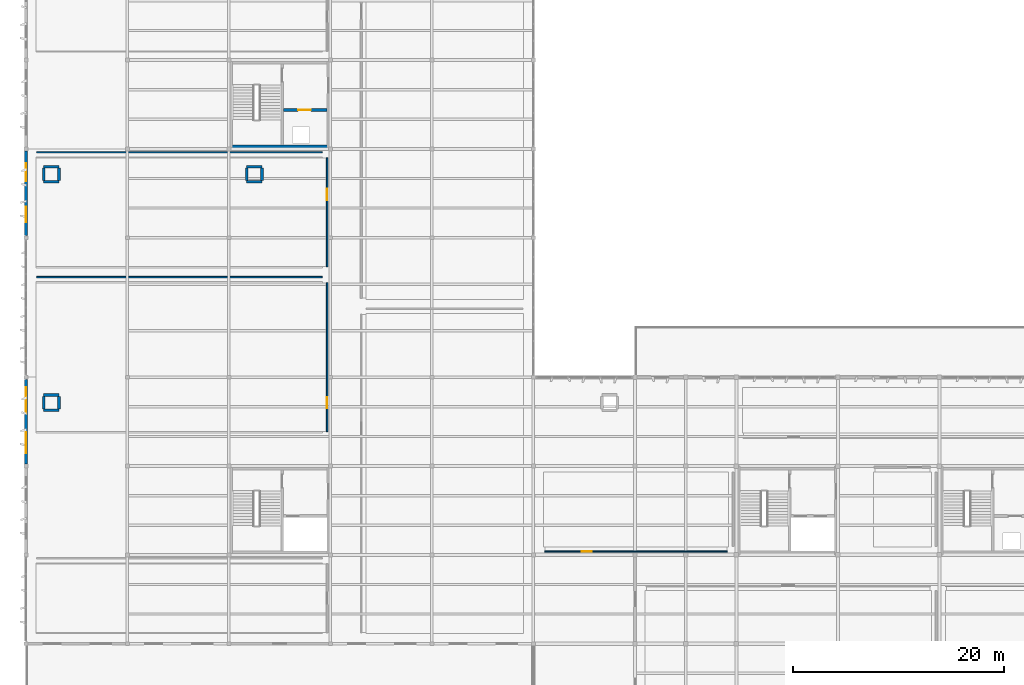
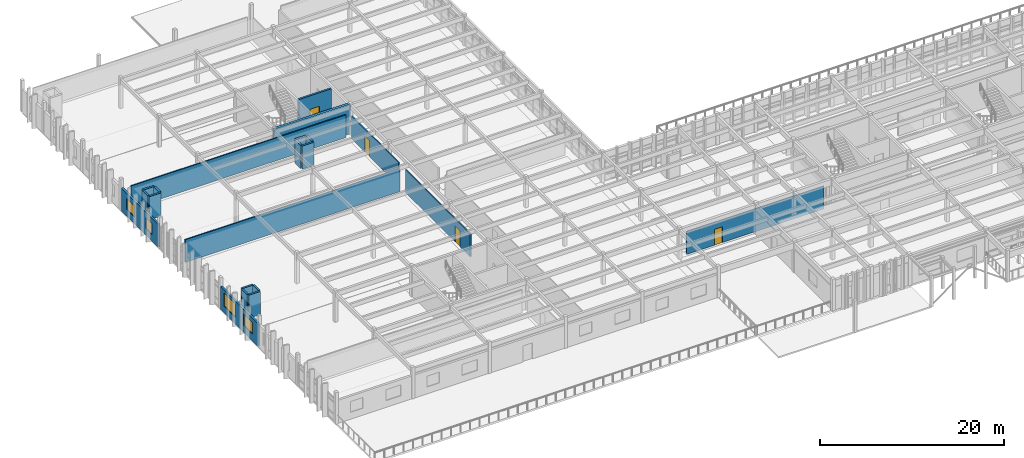
# One storey, part 41 of 61: 21 walls, 4 doors, 4 windows, 8 openings.
"""IFC4 building model written with IfcOpenShell, lengths in metres."""

from ifc_helpers import new_model, si_unit, direction, frame, frame_2d, origin, place, context, subcontext, project, spatial, rectangle, extrude, material, layer, layer_set, type_object, element, fill, save


model = new_model("IFC4")

# Units and contexts
model_context = context("Model", 3, precision=1e-05, world=origin(), true_north=direction((0.0, 1.0)))
body_context = subcontext(model_context, "Body", "Model", "MODEL_VIEW")
ifc_project = project(units=[si_unit("LENGTHUNIT", "METRE"), si_unit("AREAUNIT", "SQUARE_METRE"), si_unit("VOLUMEUNIT", "CUBIC_METRE"), si_unit("PLANEANGLEUNIT", "RADIAN"), si_unit("MASSUNIT", "GRAM", prefix="KILO")], contexts=[model_context])

# Site, building, storey
site_placement = place(None, origin())
site = spatial("IfcSite", under=ifc_project, at=site_placement, CompositionType="ELEMENT")
building_placement = place(site_placement, origin())
building = spatial("IfcBuilding", under=site, at=building_placement, Name="Kolvemor Railside Polytechnic", CompositionType="ELEMENT")
storey_placement = place(building_placement, frame((0.0, 0.0, 10.199951171875)))
storey = spatial("IfcBuildingStorey", under=building, at=storey_placement, Name="L02", CompositionType="ELEMENT", Elevation=10.199951171875)

# Wall
ifc_material_1 = material(Name="Concrete C40/50", Category="concrete")
ifc_layer_1 = layer(ifc_material_1, 0.35009765625, Name="WL-CORE-350")
ifc_layer_set_1 = layer_set([ifc_layer_1], Name="Concrete C40/50")
wall_type_1 = type_object("IfcWallType", Name="WL-CORE-350", PredefinedType="SHEAR", material=ifc_layer_set_1)
wall_1_placement = place(storey_placement, frame((19.199951171875, 60.175048828125, 0.0), z_axis=(0.0, 0.0, 1.0), x_axis=(1.0, 0.0, 0.0)))
element("IfcWall", 1, at=wall_1_placement, inside=storey, type_object=wall_type_1, Name="CORE-5 South Core Wall L02", PredefinedType="SHEAR", context=body_context, shape_type="SweptSolid", body=[
    extrude(rectangle(XDim=9.60009765625, YDim=0.35009765625, at=frame_2d((4.800048828125, 0.0))), origin(), (0.0, 0.0, 1.0), 3.949951171875),
])

# Wall, openings, windows
ifc_material_2 = material(Name="Cross-laminated timber CLT E1", Category="wood")
ifc_layer_2 = layer(ifc_material_2, 0.2548828125, Name="WL-EXT-TM-255")
ifc_layer_set_2 = layer_set([ifc_layer_2], Name="Cross-laminated timber CLT E1")
wall_type_2 = type_object("IfcWallType", Name="WL-EXT-TM-255", PredefinedType="SOLIDWALL", material=ifc_layer_set_2)
wall_2_placement = place(storey_placement, frame((0.0, 38.199951171875, 0.0), z_axis=(0.0, 0.0, 1.0), x_axis=(0.0, -1.0, 0.0)))
wall_2 = element("IfcWall", 2, at=wall_2_placement, inside=storey, type_object=wall_type_2, Name="Exterior Wall L02-0060", PredefinedType="SOLIDWALL", context=body_context, shape_type="SweptSolid", body=[
    extrude(rectangle(XDim=8.0, YDim=0.2548828125, at=frame_2d((4.0, 0.0))), origin(), (0.0, 0.0, 1.0), 3.050048828125),
])
opening_1_placement = place(wall_2_placement, frame((0.72509765625, 0.0, 0.89990234375)))
opening_1 = element("IfcOpeningElement", 3, at=opening_1_placement, cuts=wall_2, Name="Opening WN-M13", PredefinedType="OPENING", context=body_context, shape_type="SweptSolid", body=[
    extrude(rectangle(XDim=2.550048828125, YDim=1.75, at=frame_2d((1.27490234375, 0.875))), frame((0.0, 0.137451171875, 0.0), z_axis=(0.0, -1.0, 0.0), x_axis=(1.0, 0.0, 0.0)), (0.0, 0.0, 1.0), 0.27490234375),
])
opening_2_placement = place(wall_2_placement, frame((5.0, 0.0, 0.89990234375)))
opening_2 = element("IfcOpeningElement", 4, at=opening_2_placement, cuts=wall_2, Name="Opening WN-M20", PredefinedType="OPENING", context=body_context, shape_type="SweptSolid", body=[
    extrude(rectangle(XDim=2.0, YDim=1.550048828125, at=frame_2d((1.0, 0.77490234375))), frame((0.0, 0.137451171875, 0.0), z_axis=(0.0, -1.0, 0.0), x_axis=(1.0, 0.0, 0.0)), (0.0, 0.0, 1.0), 0.27490234375),
])
ifc_material_3 = material(Name="Hurricane-laminated thermally broken aluminium window", Category="aluminium")
window_type_1 = type_object("IfcWindowType", Name="WN-MOD-200x155", PartitioningType="DOUBLE_PANEL_VERTICAL", PredefinedType="WINDOW", material=ifc_material_3)
window_1_placement = place(opening_2_placement, origin())
window_1 = element("IfcWindow", 5, at=window_1_placement, inside=storey, type_object=window_type_1, Name="Window L02-0059", OverallHeight=1.550048828125, OverallWidth=2.0, PartitioningType="SINGLE_PANEL", PredefinedType="WINDOW", context=body_context, shape_type="SweptSolid", body=[
    extrude(rectangle(XDim=2.0, YDim=1.550048828125, at=frame_2d((1.0, 0.77490234375))), frame((0.0, 0.030029296875, 0.0), z_axis=(0.0, -1.0, 0.0), x_axis=(1.0, 0.0, 0.0)), (0.0, 0.0, 1.0), 0.06005859375),
])
fill(opening_2, window_1)
ifc_material_4 = material(Name="Hurricane-laminated thermally broken aluminium window", Category="aluminium")
window_type_2 = type_object("IfcWindowType", Name="WN-MOD-255x175", PartitioningType="DOUBLE_PANEL_VERTICAL", PredefinedType="WINDOW", material=ifc_material_4)
window_2_placement = place(opening_1_placement, origin())
window_2 = element("IfcWindow", 6, at=window_2_placement, inside=storey, type_object=window_type_2, Name="Window L02-0058", OverallHeight=1.75, OverallWidth=2.550048828125, PartitioningType="SINGLE_PANEL", PredefinedType="WINDOW", context=body_context, shape_type="SweptSolid", body=[
    extrude(rectangle(XDim=2.550048828125, YDim=1.75, at=frame_2d((1.27490234375, 0.875))), frame((0.0, 0.030029296875, 0.0), z_axis=(0.0, -1.0, 0.0), x_axis=(1.0, 0.0, 0.0)), (0.0, 0.0, 1.0), 0.06005859375),
])
fill(opening_1, window_2)

wall_3_placement = place(storey_placement, frame((0.0, 59.800048828125, 0.0), z_axis=(0.0, 0.0, 1.0), x_axis=(0.0, -1.0, 0.0)))
wall_3 = element("IfcWall", 7, at=wall_3_placement, inside=storey, type_object=wall_type_2, Name="Exterior Wall L02-0065", PredefinedType="SOLIDWALL", context=body_context, shape_type="SweptSolid", body=[
    extrude(rectangle(XDim=8.0, YDim=0.2548828125, at=frame_2d((4.0, 0.0))), origin(), (0.0, 0.0, 1.0), 3.050048828125),
])
opening_3_placement = place(wall_3_placement, frame((1.14990234375, 0.0, 0.89990234375)))
opening_3 = element("IfcOpeningElement", 8, at=opening_3_placement, cuts=wall_3, Name="Opening WN-M19", PredefinedType="OPENING", context=body_context, shape_type="SweptSolid", body=[
    extrude(rectangle(XDim=1.699951171875, YDim=1.449951171875, at=frame_2d((0.85009765625, 0.72509765625))), frame((0.0, 0.137451171875, 0.0), z_axis=(0.0, -1.0, 0.0), x_axis=(1.0, 0.0, 0.0)), (0.0, 0.0, 1.0), 0.27490234375),
])
opening_4_placement = place(wall_3_placement, frame((5.27490234375, 0.0, 0.89990234375)))
opening_4 = element("IfcOpeningElement", 9, at=opening_4_placement, cuts=wall_3, Name="Opening WN-M02", PredefinedType="OPENING", context=body_context, shape_type="SweptSolid", body=[
    extrude(rectangle(XDim=1.449951171875, YDim=1.449951171875, at=frame_2d((0.72509765625, 0.72509765625))), frame((0.0, 0.137451171875, 0.0), z_axis=(0.0, -1.0, 0.0), x_axis=(1.0, 0.0, 0.0)), (0.0, 0.0, 1.0), 0.27490234375),
])
ifc_material_5 = material(Name="Hurricane-laminated thermally broken aluminium window", Category="aluminium")
window_type_3 = type_object("IfcWindowType", Name="WN-MOD-145x145", PartitioningType="SINGLE_PANEL", PredefinedType="WINDOW", material=ifc_material_5)
window_3_placement = place(opening_4_placement, origin())
window_3 = element("IfcWindow", 10, at=window_3_placement, inside=storey, type_object=window_type_3, Name="Window L02-0066", OverallHeight=1.449951171875, OverallWidth=1.449951171875, PartitioningType="SINGLE_PANEL", PredefinedType="WINDOW", context=body_context, shape_type="SweptSolid", body=[
    extrude(rectangle(XDim=1.449951171875, YDim=1.449951171875, at=frame_2d((0.72509765625, 0.72509765625))), frame((0.0, 0.030029296875, 0.0), z_axis=(0.0, -1.0, 0.0), x_axis=(1.0, 0.0, 0.0)), (0.0, 0.0, 1.0), 0.06005859375),
])
fill(opening_4, window_3)
ifc_material_6 = material(Name="Hurricane-laminated thermally broken aluminium window", Category="aluminium")
window_type_4 = type_object("IfcWindowType", Name="WN-MOD-170x145", PartitioningType="SINGLE_PANEL", PredefinedType="WINDOW", material=ifc_material_6)
window_4_placement = place(opening_3_placement, origin())
window_4 = element("IfcWindow", 11, at=window_4_placement, inside=storey, type_object=window_type_4, Name="Window L02-0065", OverallHeight=1.449951171875, OverallWidth=1.699951171875, PartitioningType="SINGLE_PANEL", PredefinedType="WINDOW", context=body_context, shape_type="SweptSolid", body=[
    extrude(rectangle(XDim=1.699951171875, YDim=1.449951171875, at=frame_2d((0.85009765625, 0.72509765625))), frame((0.0, 0.030029296875, 0.0), z_axis=(0.0, -1.0, 0.0), x_axis=(1.0, 0.0, 0.0)), (0.0, 0.0, 1.0), 0.06005859375),
])
fill(opening_3, window_4)

# Wall, opening, door
ifc_material_7 = material(Name="Departmental partition")
ifc_layer_3 = layer(ifc_material_7, 0.1298828125, Name="WL-PART-130")
ifc_layer_set_3 = layer_set([ifc_layer_3], Name="Departmental partition")
wall_type_3 = type_object("IfcWallType", Name="WL-PART-130", PredefinedType="PARTITIONING", material=ifc_layer_set_3)
wall_4_placement = place(storey_placement, frame((49.050048828125, 21.919921875, 0.0), z_axis=(0.0, 0.0, 1.0), x_axis=(1.0, 0.0, 0.0)))
wall_4 = element("IfcWall", 12, at=wall_4_placement, inside=storey, type_object=wall_type_3, Name="Partition Wall L02-0146", PredefinedType="PARTITIONING", context=body_context, shape_type="SweptSolid", body=[
    extrude(rectangle(XDim=17.300048828125, YDim=0.1298828125, at=frame_2d((8.64990234375, 0.0))), origin(), (0.0, 0.0, 1.0), 3.030029296875),
])
opening_5_placement = place(wall_4_placement, frame((3.50390625, 0.0, 0.0)))
opening_5 = element("IfcOpeningElement", 13, at=opening_5_placement, cuts=wall_4, Name="Opening D-02083", PredefinedType="OPENING", context=body_context, shape_type="SweptSolid", body=[
    extrude(rectangle(XDim=0.97998046875, YDim=2.10009765625, at=frame_2d((0.489990234375, 1.050048828125))), frame((0.0, 0.074951171875, 0.0), z_axis=(0.0, -1.0, 0.0), x_axis=(1.0, 0.0, 0.0)), (0.0, 0.0, 1.0), 0.14990234375),
])
ifc_material_8 = material(Name="Solid hardwood acoustic door", Category="wood")
door_type_1 = type_object("IfcDoorType", Name="DR-ADM-098x210", OperationType="NOTDEFINED", PredefinedType="DOOR", material=ifc_material_8)
door_1_placement = place(opening_5_placement, origin())
door_1 = element("IfcDoor", 14, at=door_1_placement, inside=storey, type_object=door_type_1, Name="Room Door D-02083 (Faculty of Civil Engineering Department Suite)", OperationType="SINGLE_SWING_RIGHT", OverallHeight=2.10009765625, OverallWidth=0.97998046875, PredefinedType="DOOR", context=body_context, shape_type="SweptSolid", body=[
    extrude(rectangle(XDim=0.97998046875, YDim=2.10009765625, at=frame_2d((0.489990234375, 1.050048828125))), frame((0.0, 0.02490234375, 0.0), z_axis=(0.0, -1.0, 0.0), x_axis=(1.0, 0.0, 0.0)), (0.0, 0.0, 1.0), 0.050048828125),
])
fill(opening_5, door_1)

ifc_material_9 = material(Name="Seminar acoustic partition")
ifc_layer_4 = layer(ifc_material_9, 0.139892578125, Name="WL-PART-140")
ifc_layer_set_4 = layer_set([ifc_layer_4], Name="Seminar acoustic partition")
wall_type_4 = type_object("IfcWallType", Name="WL-PART-140", PredefinedType="PARTITIONING", material=ifc_layer_set_4)
wall_5_placement = place(storey_placement, frame((28.47998046875, 33.25, 0.0), z_axis=(0.0, 0.0, 1.0), x_axis=(0.0, 1.0, 0.0)))
wall_5 = element("IfcWall", 15, at=wall_5_placement, inside=storey, type_object=wall_type_4, Name="Partition Wall L02-0131", PredefinedType="PARTITIONING", context=body_context, shape_type="SweptSolid", body=[
    extrude(rectangle(XDim=14.10009765625, YDim=0.139892578125, at=frame_2d((7.050048828125, 0.0))), origin(), (0.0, 0.0, 1.0), 3.030029296875),
])
opening_6_placement = place(wall_5_placement, frame((2.239013671875, 0.0, 0.0)))
opening_6 = element("IfcOpeningElement", 16, at=opening_6_placement, cuts=wall_5, Name="Opening D-02075", PredefinedType="OPENING", context=body_context, shape_type="SweptSolid", body=[
    extrude(rectangle(XDim=1.0400390625, YDim=2.14990234375, at=frame_2d((0.52001953125, 1.074951171875))), frame((0.0, 0.079833984375, 0.0), z_axis=(0.0, -1.0, 0.0), x_axis=(1.0, 0.0, 0.0)), (0.0, 0.0, 1.0), 0.159912109375),
])
ifc_material_10 = material(Name="Solid hardwood acoustic door", Category="wood")
door_type_2 = type_object("IfcDoorType", Name="DR-SEM-104x215", OperationType="NOTDEFINED", PredefinedType="DOOR", material=ifc_material_10)
door_2_placement = place(opening_6_placement, origin())
door_2 = element("IfcDoor", 17, at=door_2_placement, inside=storey, type_object=door_type_2, Name="Room Door D-02075 (Seminar Room 202)", OperationType="SINGLE_SWING_RIGHT", OverallHeight=2.14990234375, OverallWidth=1.0400390625, PredefinedType="DOOR", context=body_context, shape_type="SweptSolid", body=[
    extrude(rectangle(XDim=1.0400390625, YDim=2.14990234375, at=frame_2d((0.52001953125, 1.074951171875))), frame((0.0, 0.02490234375, 0.0), z_axis=(0.0, -1.0, 0.0), x_axis=(1.0, 0.0, 0.0)), (0.0, 0.0, 1.0), 0.050048828125),
])
fill(opening_6, door_2)

# Wall
wall_6_placement = place(storey_placement, frame((1.0, 47.8798828125, 0.0), z_axis=(0.0, 0.0, 1.0), x_axis=(1.0, 0.0, 0.0)))
element("IfcWall", 18, at=wall_6_placement, inside=storey, type_object=wall_type_4, Name="Demising Partition L02-0132", PredefinedType="PARTITIONING", context=body_context, shape_type="SweptSolid", body=[
    extrude(rectangle(XDim=27.0, YDim=0.139892578125, at=frame_2d((13.5, 0.0))), origin(), (0.0, 0.0, 1.0), 3.030029296875),
])

# Wall, opening, door
wall_7_placement = place(storey_placement, frame((28.47998046875, 48.85009765625, 0.0), z_axis=(0.0, 0.0, 1.0), x_axis=(0.0, 1.0, 0.0)))
wall_7 = element("IfcWall", 19, at=wall_7_placement, inside=storey, type_object=wall_type_4, Name="Partition Wall L02-0133", PredefinedType="PARTITIONING", context=body_context, shape_type="SweptSolid", body=[
    extrude(rectangle(XDim=10.2998046875, YDim=0.139892578125, at=frame_2d((5.14990234375, 0.0))), origin(), (0.0, 0.0, 1.0), 3.030029296875),
])
opening_7_placement = place(wall_7_placement, frame((6.2939453125, 0.0, 0.0)))
opening_7 = element("IfcOpeningElement", 20, at=opening_7_placement, cuts=wall_7, Name="Opening D-02076", PredefinedType="OPENING", context=body_context, shape_type="SweptSolid", body=[
    extrude(rectangle(XDim=1.080078125, YDim=2.14990234375, at=frame_2d((0.5400390625, 1.074951171875))), frame((0.0, 0.079833984375, 0.0), z_axis=(0.0, -1.0, 0.0), x_axis=(1.0, 0.0, 0.0)), (0.0, 0.0, 1.0), 0.159912109375),
])
ifc_material_11 = material(Name="Solid hardwood acoustic door", Category="wood")
door_type_3 = type_object("IfcDoorType", Name="DR-SEM-108x215", OperationType="NOTDEFINED", PredefinedType="DOOR", material=ifc_material_11)
door_3_placement = place(opening_7_placement, origin())
door_3 = element("IfcDoor", 21, at=door_3_placement, inside=storey, type_object=door_type_3, Name="Room Door D-02076 (Seminar Room 203)", OperationType="SINGLE_SWING_LEFT", OverallHeight=2.14990234375, OverallWidth=1.080078125, PredefinedType="DOOR", context=body_context, shape_type="SweptSolid", body=[
    extrude(rectangle(XDim=1.080078125, YDim=2.14990234375, at=frame_2d((0.5400390625, 1.074951171875))), frame((0.0, 0.02490234375, 0.0), z_axis=(0.0, -1.0, 0.0), x_axis=(1.0, 0.0, 0.0)), (0.0, 0.0, 1.0), 0.050048828125),
])
fill(opening_7, door_3)

# Wall
wall_8_placement = place(storey_placement, frame((1.0, 59.679931640625, 0.0), z_axis=(0.0, 0.0, 1.0), x_axis=(1.0, 0.0, 0.0)))
element("IfcWall", 22, at=wall_8_placement, inside=storey, type_object=wall_type_4, Name="Demising Partition L02-0134", PredefinedType="PARTITIONING", context=body_context, shape_type="SweptSolid", body=[
    extrude(rectangle(XDim=27.0, YDim=0.139892578125, at=frame_2d((13.5, 0.0))), origin(), (0.0, 0.0, 1.0), 3.030029296875),
])

# Wall, opening, door
ifc_material_12 = material(Name="Concrete C40/50", Category="concrete")
ifc_layer_5 = layer(ifc_material_12, 0.25, Name="WL-SHFT-250")
ifc_layer_set_5 = layer_set([ifc_layer_5], Name="Concrete C40/50")
wall_type_5 = type_object("IfcWallType", Name="WL-SHFT-250", PredefinedType="SHEAR", material=ifc_layer_set_5)
wall_9_placement = place(storey_placement, frame((24.35009765625, 63.675048828125, 0.0), z_axis=(0.0, 0.0, 1.0), x_axis=(1.0, 0.0, 0.0)))
wall_9 = element("IfcWall", 23, at=wall_9_placement, inside=storey, type_object=wall_type_5, Name="CORE-5 Lift Shaft Front Wall L02", PredefinedType="SHEAR", context=body_context, shape_type="SweptSolid", body=[
    extrude(rectangle(XDim=4.099853515625, YDim=0.25, at=frame_2d((2.0498046875, 0.0))), origin(), (0.0, 0.0, 1.0), 3.949951171875),
])
opening_8_placement = place(wall_9_placement, frame((1.39990234375, 0.0, 0.0)))
opening_8 = element("IfcOpeningElement", 24, at=opening_8_placement, cuts=wall_9, Name="Opening D-RSR-5-L02", PredefinedType="OPENING", context=body_context, shape_type="SweptSolid", body=[
    extrude(rectangle(XDim=1.199951171875, YDim=2.14990234375, at=frame_2d((0.60009765625, 1.074951171875))), frame((0.0, 0.135009765625, 0.0), z_axis=(0.0, -1.0, 0.0), x_axis=(1.0, 0.0, 0.0)), (0.0, 0.0, 1.0), 0.27001953125),
])
ifc_material_13 = material(Name="Fire-rated hardwood and brushed stainless-steel door", Category="steel")
door_type_4 = type_object("IfcDoorType", Name="DR-FD60-120x215", OperationType="NOTDEFINED", PredefinedType="DOOR", material=ifc_material_13)
door_4_placement = place(opening_8_placement, origin())
door_4 = element("IfcDoor", 25, at=door_4_placement, inside=storey, type_object=door_type_4, Name="Riser Fire Door CORE-5 L02", OperationType="SINGLE_SWING_LEFT", OverallHeight=2.14990234375, OverallWidth=1.199951171875, PredefinedType="DOOR", context=body_context, shape_type="SweptSolid", body=[
    extrude(rectangle(XDim=1.199951171875, YDim=2.14990234375, at=frame_2d((0.60009765625, 1.074951171875))), frame((0.0, 0.02490234375, 0.0), z_axis=(0.0, -1.0, 0.0), x_axis=(1.0, 0.0, 0.0)), (0.0, 0.0, 1.0), 0.050048828125),
])
fill(opening_8, door_4)

# Walls
ifc_material_14 = material(Name="Concrete C40/50", Category="concrete")
ifc_layer_6 = layer(ifc_material_14, 0.25, Name="WL-TIER-RC")
ifc_layer_set_6 = layer_set([ifc_layer_6], Name="Concrete C40/50")
wall_type_6 = type_object("IfcWallType", Name="WL-TIER-RC", PredefinedType="SHEAR", material=ifc_layer_set_6)
for number, where, z_axis, x_axis, name in (
    (26, (1.679931640625, 35.280029296875, 0.0), (0.0, 0.0, 1.0), (1.0, 0.0, 0.0), "MEP Riser Enclosure Wall L02-63S"),
    (27, (1.679931640625, 36.719970703125, 0.0), (0.0, 0.0, 1.0), (1.0, 0.0, 0.0), "MEP Riser Enclosure Wall L02-63N"),
):
    element("IfcWall", number, at=place(storey_placement, frame(where, z_axis=z_axis, x_axis=x_axis)), inside=storey, type_object=wall_type_6, Name=name, PredefinedType="SHEAR", context=body_context, shape_type="SweptSolid", body=[
        extrude(rectangle(XDim=1.440185546875, YDim=0.25, at=frame_2d((0.72021484375, 0.0))), origin(), (0.0, 0.0, 1.0), 3.10009765625),
    ])
for number, where, z_axis, x_axis, name in (
    (28, (1.679931640625, 35.39990234375, 0.0), (0.0, 0.0, 1.0), (0.0, 1.0, 0.0), "MEP Riser Enclosure Wall L02-63W"),
    (29, (3.1201171875, 35.39990234375, 0.0), (0.0, 0.0, 1.0), (0.0, 1.0, 0.0), "MEP Riser Enclosure Wall L02-63E"),
):
    element("IfcWall", number, at=place(storey_placement, frame(where, z_axis=z_axis, x_axis=x_axis)), inside=storey, type_object=wall_type_6, Name=name, PredefinedType="SHEAR", context=body_context, shape_type="SweptSolid", body=[
        extrude(rectangle(XDim=1.2001953125, YDim=0.25, at=frame_2d((0.60009765625, 0.0))), origin(), (0.0, 0.0, 1.0), 3.10009765625),
    ])
for number, where, z_axis, x_axis, name in (
    (30, (1.679931640625, 56.8798828125, 0.0), (0.0, 0.0, 1.0), (1.0, 0.0, 0.0), "MEP Riser Enclosure Wall L02-64S"),
    (31, (1.679931640625, 58.320068359375, 0.0), (0.0, 0.0, 1.0), (1.0, 0.0, 0.0), "MEP Riser Enclosure Wall L02-64N"),
):
    element("IfcWall", number, at=place(storey_placement, frame(where, z_axis=z_axis, x_axis=x_axis)), inside=storey, type_object=wall_type_6, Name=name, PredefinedType="SHEAR", context=body_context, shape_type="SweptSolid", body=[
        extrude(rectangle(XDim=1.440185546875, YDim=0.25, at=frame_2d((0.72021484375, 0.0))), origin(), (0.0, 0.0, 1.0), 3.10009765625),
    ])
for number, where, z_axis, x_axis, name in (
    (32, (1.679931640625, 57.0, 0.0), (0.0, 0.0, 1.0), (0.0, 1.0, 0.0), "MEP Riser Enclosure Wall L02-64W"),
    (33, (3.1201171875, 57.0, 0.0), (0.0, 0.0, 1.0), (0.0, 1.0, 0.0), "MEP Riser Enclosure Wall L02-64E"),
):
    element("IfcWall", number, at=place(storey_placement, frame(where, z_axis=z_axis, x_axis=x_axis)), inside=storey, type_object=wall_type_6, Name=name, PredefinedType="SHEAR", context=body_context, shape_type="SweptSolid", body=[
        extrude(rectangle(XDim=1.199951171875, YDim=0.25, at=frame_2d((0.60009765625, 0.0))), origin(), (0.0, 0.0, 1.0), 3.10009765625),
    ])
for number, where, z_axis, x_axis, name in (
    (34, (20.8798828125, 56.8798828125, 0.0), (0.0, 0.0, 1.0), (1.0, 0.0, 0.0), "MEP Riser Enclosure Wall L02-67S"),
    (35, (20.8798828125, 58.320068359375, 0.0), (0.0, 0.0, 1.0), (1.0, 0.0, 0.0), "MEP Riser Enclosure Wall L02-67N"),
):
    element("IfcWall", number, at=place(storey_placement, frame(where, z_axis=z_axis, x_axis=x_axis)), inside=storey, type_object=wall_type_6, Name=name, PredefinedType="SHEAR", context=body_context, shape_type="SweptSolid", body=[
        extrude(rectangle(XDim=1.440185546875, YDim=0.25, at=frame_2d((0.72021484375, 0.0))), origin(), (0.0, 0.0, 1.0), 3.10009765625),
    ])
for number, where, z_axis, x_axis, name in (
    (36, (20.8798828125, 57.0, 0.0), (0.0, 0.0, 1.0), (0.0, 1.0, 0.0), "MEP Riser Enclosure Wall L02-67W"),
    (37, (22.320068359375, 57.0, 0.0), (0.0, 0.0, 1.0), (0.0, 1.0, 0.0), "MEP Riser Enclosure Wall L02-67E"),
):
    element("IfcWall", number, at=place(storey_placement, frame(where, z_axis=z_axis, x_axis=x_axis)), inside=storey, type_object=wall_type_6, Name=name, PredefinedType="SHEAR", context=body_context, shape_type="SweptSolid", body=[
        extrude(rectangle(XDim=1.199951171875, YDim=0.25, at=frame_2d((0.60009765625, 0.0))), origin(), (0.0, 0.0, 1.0), 3.10009765625),
    ])

save(model, "model.ifc")
